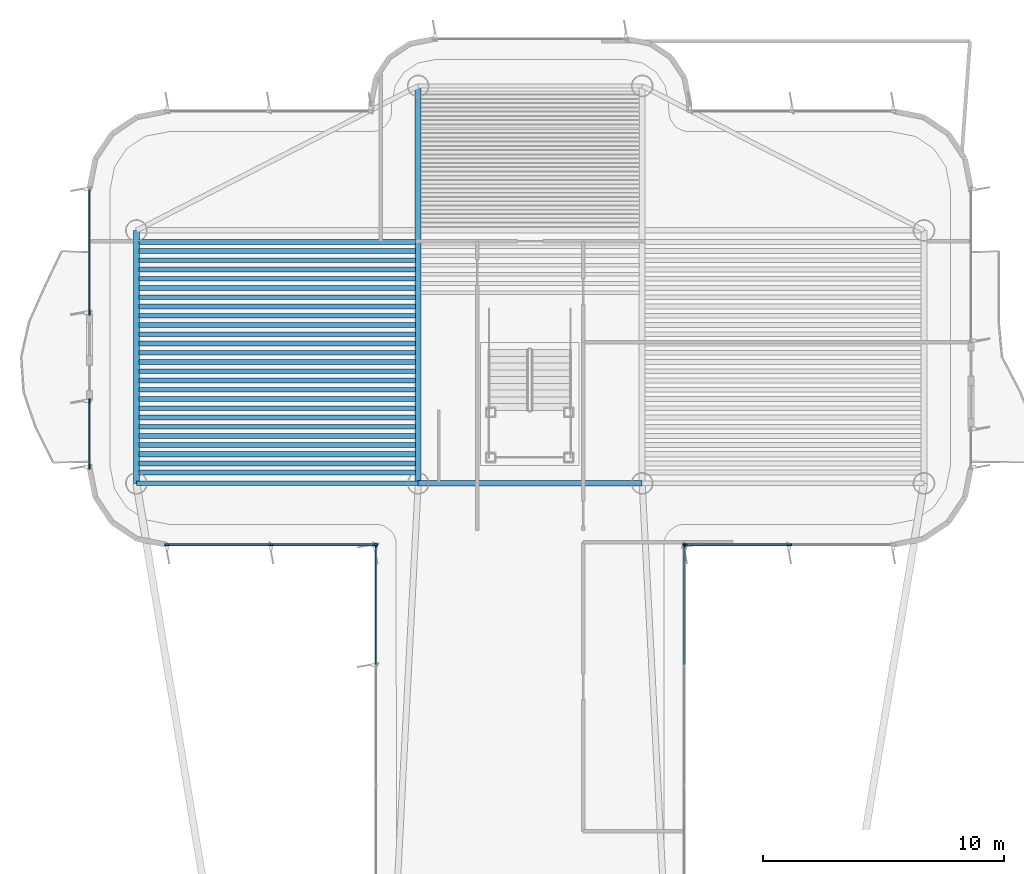
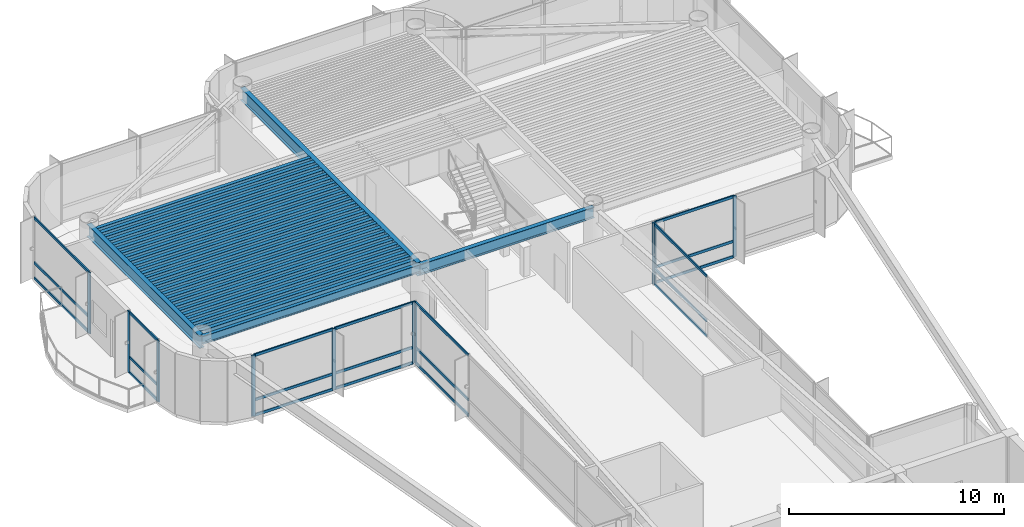
# One storey, part 6 of 17: 31 members, 30 beams, 6 elements without a shape of their own.
"""IFC4 building model written with IfcOpenShell, lengths in metres."""

from ifc_helpers import new_model, si_unit, direction, frame, origin, origin_2d, place, context, subcontext, project, spatial, rectangle, i_section, extrude, source, transform, mapped, material, layer, layer_set, material_profile, profile_set, type_object, element, aggregate, save


model = new_model("IFC4")

# Units and contexts
model_context = context("Model", 3, precision=1e-05, world=origin(), true_north=direction((0.0, 1.0)))
body_context = subcontext(model_context, "Body", "Model", "MODEL_VIEW")
ifc_project = project(units=[si_unit("LENGTHUNIT", "METRE"), si_unit("AREAUNIT", "SQUARE_METRE"), si_unit("VOLUMEUNIT", "CUBIC_METRE"), si_unit("PLANEANGLEUNIT", "RADIAN"), si_unit("MASSUNIT", "GRAM", prefix="KILO")], contexts=[model_context])

# Site, building, storey
site_placement = place(None, origin())
site = spatial("IfcSite", under=ifc_project, at=site_placement, CompositionType="ELEMENT")
building_placement = place(site_placement, origin())
building = spatial("IfcBuilding", under=site, at=building_placement, Name="Brelvock Crest Care Tower", CompositionType="ELEMENT")
storey_placement = place(building_placement, frame((0.0, 0.0, 287.280029296875)))
storey = spatial("IfcBuildingStorey", under=building, at=storey_placement, Name="L73", CompositionType="ELEMENT", Elevation=287.280029296875)

# Beams
ifc_material_1 = material(Name="Steel Grade 350", Category="steel")
ifc_material_profile_1 = material_profile(ifc_material_1, i_section(OverallWidth=0.25, OverallDepth=0.699951171875, WebThickness=0.011962890625, FlangeThickness=0.02001953125, at=origin_2d()), Name="700WB150")
ifc_profile_set_1 = profile_set([ifc_material_profile_1], Name="Steel Grade 350")
beam_type_1 = type_object("IfcBeamType", Name="BM-G4", PredefinedType="BEAM", material=ifc_profile_set_1)
shared_shape_1 = source(origin(), body_context, "Body", "SweptSolid", [
    extrude(i_section(OverallWidth=0.25, OverallDepth=0.699951171875, WebThickness=0.011962890625, FlangeThickness=0.02001953125, at=origin_2d()), origin(), (0.0, 0.0, 1.0), 10.5),
])
beam_1_placement = place(storey_placement, frame((19.64990234375, 43.949951171875, 3.10986328125), z_axis=(0.0, 1.0, 0.0), x_axis=(-1.0, 0.0, 0.0)))
element("IfcBeam", 1, at=beam_1_placement, inside=storey, type_object=beam_type_1, Name="BM-TWR-L73-01", PredefinedType="BEAM", context=body_context, shape_type="MappedRepresentation", body=[
    mapped(shared_shape_1, transform((0.0, 0.0, 0.0), x_axis=(1.0, 0.0, 0.0), y_axis=(0.0, 1.0, 0.0), z_axis=(0.0, 0.0, 1.0), scale=1.0)),
])
ifc_material_profile_2 = material_profile(ifc_material_1, i_section(OverallWidth=0.22900390625, OverallDepth=0.612060546875, WebThickness=0.011962890625, FlangeThickness=0.01953125, FilletRadius=0.013916015625, at=origin_2d()), Name="610UB125")
ifc_profile_set_2 = profile_set([ifc_material_profile_2], Name="Steel Grade 350")
beam_type_2 = type_object("IfcBeamType", Name="BM-G1", PredefinedType="BEAM", material=ifc_profile_set_2)
shared_shape_2 = source(origin(), body_context, "Body", "SweptSolid", [
    extrude(i_section(OverallWidth=0.22900390625, OverallDepth=0.612060546875, WebThickness=0.011962890625, FlangeThickness=0.01953125, FilletRadius=0.013916015625, at=origin_2d()), origin(), (0.0, 0.0, 1.0), 9.2998046875),
])
beam_2_placement = place(storey_placement, frame((31.35009765625, 43.949951171875, 3.154052734375), z_axis=(1.0, 0.0, 0.0), x_axis=(0.0, 1.0, 0.0)))
element("IfcBeam", 2, at=beam_2_placement, inside=storey, type_object=beam_type_2, Name="BM-TWR-L73-05", PredefinedType="BEAM", context=body_context, shape_type="MappedRepresentation", body=[
    mapped(shared_shape_2, transform((0.0, 0.0, 0.0), x_axis=(1.0, 0.0, 0.0), y_axis=(0.0, 1.0, 0.0), z_axis=(0.0, 0.0, 1.0), scale=1.0)),
])
ifc_material_profile_3 = material_profile(ifc_material_1, i_section(OverallWidth=0.19091796875, OverallDepth=0.4599609375, WebThickness=0.010009765625, FlangeThickness=0.01611328125, FilletRadius=0.011474609375, at=origin_2d()), Name="460UB82.1")
ifc_profile_set_3 = profile_set([ifc_material_profile_3], Name="Steel Grade 350")
beam_type_3 = type_object("IfcBeamType", Name="BM-G3", PredefinedType="BEAM", material=ifc_profile_set_3)
shared_shape_3 = source(origin(), body_context, "Body", "SweptSolid", [
    extrude(i_section(OverallWidth=0.19091796875, OverallDepth=0.4599609375, WebThickness=0.010009765625, FlangeThickness=0.01611328125, FilletRadius=0.011474609375, at=origin_2d()), origin(), (0.0, 0.0, 1.0), 11.47021484375),
])
for number, where, z_axis, x_axis, name in (
    (3, (19.764892578125, 44.7744140625, 3.22998046875), (1.0, 0.0, 0.0), (0.0, 1.0, 0.0), "BM-JW-L73-2"),
    (4, (19.764892578125, 45.540771484375, 3.22998046875), (1.0, 0.0, 0.0), (0.0, 1.0, 0.0), "BM-JW-L73-4"),
    (5, (19.764892578125, 46.307373046875, 3.22998046875), (1.0, 0.0, 0.0), (0.0, 1.0, 0.0), "BM-JW-L73-6"),
    (6, (19.764892578125, 47.07373046875, 3.22998046875), (1.0, 0.0, 0.0), (0.0, 1.0, 0.0), "BM-JW-L73-8"),
    (7, (19.764892578125, 47.84033203125, 3.22998046875), (1.0, 0.0, 0.0), (0.0, 1.0, 0.0), "BM-JW-L73-10"),
    (8, (19.764892578125, 48.606689453125, 3.22998046875), (1.0, 0.0, 0.0), (0.0, 1.0, 0.0), "BM-JW-L73-12"),
    (9, (19.764892578125, 49.373291015625, 3.22998046875), (1.0, 0.0, 0.0), (0.0, 1.0, 0.0), "BM-JW-L73-14"),
    (10, (19.764892578125, 50.139892578125, 3.22998046875), (1.0, 0.0, 0.0), (0.0, 1.0, 0.0), "BM-JW-L73-16"),
    (11, (19.764892578125, 50.90625, 3.22998046875), (1.0, 0.0, 0.0), (0.0, 1.0, 0.0), "BM-JW-L73-18"),
    (12, (19.764892578125, 51.6728515625, 3.22998046875), (1.0, 0.0, 0.0), (0.0, 1.0, 0.0), "BM-JW-L73-20"),
    (13, (19.764892578125, 52.439208984375, 3.22998046875), (1.0, 0.0, 0.0), (0.0, 1.0, 0.0), "BM-JW-L73-22"),
    (14, (19.764892578125, 53.205810546875, 3.22998046875), (1.0, 0.0, 0.0), (0.0, 1.0, 0.0), "BM-JW-L73-24"),
    (15, (19.764892578125, 53.972412109375, 3.22998046875), (1.0, 0.0, 0.0), (0.0, 1.0, 0.0), "BM-JW-L73-26"),
):
    element("IfcBeam", number, at=place(storey_placement, frame(where, z_axis=z_axis, x_axis=x_axis)), inside=storey, type_object=beam_type_3, Name=name, PredefinedType="BEAM", context=body_context, shape_type="MappedRepresentation", body=[
        mapped(shared_shape_3, transform((0.0, 0.0, 0.0), x_axis=(1.0, 0.0, 0.0), y_axis=(0.0, 1.0, 0.0), z_axis=(0.0, 0.0, 1.0), scale=1.0)),
    ])
ifc_material_profile_4 = material_profile(ifc_material_1, i_section(OverallWidth=0.208984375, OverallDepth=0.532958984375, WebThickness=0.01025390625, FlangeThickness=0.015625, FilletRadius=0.013916015625, at=origin_2d()), Name="530UB92.4")
ifc_profile_set_4 = profile_set([ifc_material_profile_4], Name="Steel Grade 350")
beam_type_4 = type_object("IfcBeamType", Name="BM-G2", PredefinedType="BEAM", material=ifc_profile_set_4)
shared_shape_4 = source(origin(), body_context, "Body", "SweptSolid", [
    extrude(i_section(OverallWidth=0.208984375, OverallDepth=0.532958984375, WebThickness=0.01025390625, FlangeThickness=0.015625, FilletRadius=0.013916015625, at=origin_2d()), origin(), (0.0, 0.0, 1.0), 11.47021484375),
])
for number, where, z_axis, x_axis, name in (
    (16, (19.764892578125, 44.39111328125, 3.193359375), (1.0, 0.0, 0.0), (0.0, 1.0, 0.0), "BM-JW-L73-1"),
    (17, (19.764892578125, 45.157470703125, 3.193359375), (1.0, 0.0, 0.0), (0.0, 1.0, 0.0), "BM-JW-L73-3"),
    (18, (19.764892578125, 45.924072265625, 3.193359375), (1.0, 0.0, 0.0), (0.0, 1.0, 0.0), "BM-JW-L73-5"),
    (19, (19.764892578125, 46.6904296875, 3.193359375), (1.0, 0.0, 0.0), (0.0, 1.0, 0.0), "BM-JW-L73-7"),
    (20, (19.764892578125, 47.45703125, 3.193359375), (1.0, 0.0, 0.0), (0.0, 1.0, 0.0), "BM-JW-L73-9"),
    (21, (19.764892578125, 48.223388671875, 3.193359375), (1.0, 0.0, 0.0), (0.0, 1.0, 0.0), "BM-JW-L73-11"),
    (22, (19.764892578125, 48.989990234375, 3.193359375), (1.0, 0.0, 0.0), (0.0, 1.0, 0.0), "BM-JW-L73-13"),
    (23, (19.764892578125, 49.756591796875, 3.193359375), (1.0, 0.0, 0.0), (0.0, 1.0, 0.0), "BM-JW-L73-15"),
    (24, (19.764892578125, 50.52294921875, 3.193359375), (1.0, 0.0, 0.0), (0.0, 1.0, 0.0), "BM-JW-L73-17"),
    (25, (19.764892578125, 51.28955078125, 3.193359375), (1.0, 0.0, 0.0), (0.0, 1.0, 0.0), "BM-JW-L73-19"),
    (26, (19.764892578125, 52.055908203125, 3.193359375), (1.0, 0.0, 0.0), (0.0, 1.0, 0.0), "BM-JW-L73-21"),
    (27, (19.764892578125, 52.822509765625, 3.193359375), (1.0, 0.0, 0.0), (0.0, 1.0, 0.0), "BM-JW-L73-23"),
    (28, (19.764892578125, 53.589111328125, 3.193359375), (1.0, 0.0, 0.0), (0.0, 1.0, 0.0), "BM-JW-L73-25"),
):
    element("IfcBeam", number, at=place(storey_placement, frame(where, z_axis=z_axis, x_axis=x_axis)), inside=storey, type_object=beam_type_4, Name=name, PredefinedType="BEAM", context=body_context, shape_type="MappedRepresentation", body=[
        mapped(shared_shape_4, transform((0.0, 0.0, 0.0), x_axis=(1.0, 0.0, 0.0), y_axis=(0.0, 1.0, 0.0), z_axis=(0.0, 0.0, 1.0), scale=1.0)),
    ])
ifc_material_profile_5 = material_profile(ifc_material_1, i_section(OverallWidth=0.19091796875, OverallDepth=0.4599609375, WebThickness=0.010009765625, FlangeThickness=0.01611328125, FilletRadius=0.011474609375, at=origin_2d()), Name="460UB82.1")
ifc_profile_set_5 = profile_set([ifc_material_profile_5], Name="Steel Grade 350")
beam_type_5 = type_object("IfcBeamType", Name="BM-SP2", PredefinedType="SPANDREL", material=ifc_profile_set_5)
shared_shape_5 = source(origin(), body_context, "Body", "SweptSolid", [
    extrude(i_section(OverallWidth=0.19091796875, OverallDepth=0.4599609375, WebThickness=0.010009765625, FlangeThickness=0.01611328125, FilletRadius=0.011474609375, at=origin_2d()), origin(), (0.0, 0.0, 1.0), 11.7001953125),
])
beam_3_placement = place(storey_placement, frame((19.64990234375, 43.949951171875, 3.22998046875), z_axis=(1.0, 0.0, 0.0), x_axis=(0.0, 1.0, 0.0)))
element("IfcBeam", 29, at=beam_3_placement, inside=storey, type_object=beam_type_5, Name="BM-TWR-L73-03", PredefinedType="SPANDREL", context=body_context, shape_type="MappedRepresentation", body=[
    mapped(shared_shape_5, transform((0.0, 0.0, 0.0), x_axis=(1.0, 0.0, 0.0), y_axis=(0.0, 1.0, 0.0), z_axis=(0.0, 0.0, 1.0), scale=1.0)),
])
shared_shape_6 = source(origin(), body_context, "Body", "SweptSolid", [
    extrude(i_section(OverallWidth=0.25, OverallDepth=0.699951171875, WebThickness=0.011962890625, FlangeThickness=0.02001953125, at=origin_2d()), origin(), (0.0, 0.0, 1.0), 16.5),
])
beam_4_placement = place(storey_placement, frame((31.35009765625, 43.949951171875, 3.10986328125), z_axis=(0.0, 1.0, 0.0), x_axis=(-1.0, 0.0, 0.0)))
element("IfcBeam", 30, at=beam_4_placement, inside=storey, type_object=beam_type_1, Name="BM-TWR-L73-09", PredefinedType="BEAM", context=body_context, shape_type="MappedRepresentation", body=[
    mapped(shared_shape_6, transform((0.0, 0.0, 0.0), x_axis=(1.0, 0.0, 0.0), y_axis=(0.0, 1.0, 0.0), z_axis=(0.0, 0.0, 1.0), scale=1.0)),
])

# Curtain wall, members
ifc_material_2 = material(Name="Dark Glass Double Glazed Low-E", Category="glass")
ifc_layer = layer(ifc_material_2, 0.2548828125, Name="CWS-6")
ifc_layer_set = layer_set([ifc_layer], Name="Dark Glass Double Glazed Low-E")
curtain_wall_type = type_object("IfcCurtainWallType", Name="CWS-6", PredefinedType="NOTDEFINED", material=ifc_layer_set)
curtain_wall_1_placement = place(storey_placement, origin())
curtain_wall_1 = element("IfcCurtainWall", 31, at=curtain_wall_1_placement, inside=storey, type_object=curtain_wall_type, Name="L73 Curtain Wall E11", PredefinedType="NOTDEFINED")
ifc_material_3 = material(Name="Aluminium 6063-T6", Category="aluminium")
ifc_material_profile_6 = material_profile(ifc_material_3, rectangle(XDim=0.06494140625, YDim=0.14990234375, at=origin_2d()), Name="ALU65x150")
ifc_profile_set_6 = profile_set([ifc_material_profile_6], Name="Aluminium 6063-T6")
member_type_1 = type_object("IfcMemberType", Name="CWT-1", PredefinedType="USERDEFINED", material=ifc_profile_set_6)
shared_shape_7 = source(origin(), body_context, "Body", "SweptSolid", [
    extrude(rectangle(XDim=0.06494140625, YDim=0.14990234375, at=origin_2d()), origin(), (0.0, 0.0, 1.0), 4.90234375),
])
member_1_placement = place(storey_placement, frame((29.60009765625, 36.4326171875, 0.032470703125), z_axis=(0.0, 1.0, 0.0), x_axis=(-1.0, 0.0, 0.0)))
member_1 = element("IfcMember", 32, at=member_1_placement, type_object=member_type_1, Name="CW-6 transom 4.1", ObjectType="TRANSOM", PredefinedType="USERDEFINED", context=body_context, shape_type="MappedRepresentation", body=[
    mapped(shared_shape_7, transform((0.0, 0.0, 0.0), x_axis=(1.0, 0.0, 0.0), y_axis=(0.0, 1.0, 0.0), z_axis=(0.0, 0.0, 1.0), scale=1.0)),
])
member_2_placement = place(storey_placement, frame((29.60009765625, 36.4326171875, 0.89990234375), z_axis=(0.0, 1.0, 0.0), x_axis=(-1.0, 0.0, 0.0)))
member_2 = element("IfcMember", 33, at=member_2_placement, type_object=member_type_1, Name="CW-6 transom 4.2", ObjectType="TRANSOM", PredefinedType="USERDEFINED", context=body_context, shape_type="MappedRepresentation", body=[
    mapped(shared_shape_7, transform((0.0, 0.0, 0.0), x_axis=(1.0, 0.0, 0.0), y_axis=(0.0, 1.0, 0.0), z_axis=(0.0, 0.0, 1.0), scale=1.0)),
])
member_3_placement = place(storey_placement, frame((29.60009765625, 36.4326171875, 3.427490234375), z_axis=(0.0, 1.0, 0.0), x_axis=(-1.0, 0.0, 0.0)))
member_3 = element("IfcMember", 34, at=member_3_placement, type_object=member_type_1, Name="CW-6 transom 4.3", ObjectType="TRANSOM", PredefinedType="USERDEFINED", context=body_context, shape_type="MappedRepresentation", body=[
    mapped(shared_shape_7, transform((0.0, 0.0, 0.0), x_axis=(1.0, 0.0, 0.0), y_axis=(0.0, 1.0, 0.0), z_axis=(0.0, 0.0, 1.0), scale=1.0)),
])

curtain_wall_2_placement = place(storey_placement, origin())
curtain_wall_2 = element("IfcCurtainWall", 35, at=curtain_wall_2_placement, inside=storey, type_object=curtain_wall_type, Name="L73 Curtain Wall E45", PredefinedType="NOTDEFINED")
member_4_placement = place(storey_placement, frame((42.39990234375, 41.3349609375, 0.032470703125), z_axis=(0.0, -1.0, 0.0), x_axis=(1.0, 0.0, 0.0)))
member_4 = element("IfcMember", 36, at=member_4_placement, type_object=member_type_1, Name="CW-6 transom 1.1", ObjectType="TRANSOM", PredefinedType="USERDEFINED", context=body_context, shape_type="MappedRepresentation", body=[
    mapped(shared_shape_7, transform((0.0, 0.0, 0.0), x_axis=(1.0, 0.0, 0.0), y_axis=(0.0, 1.0, 0.0), z_axis=(0.0, 0.0, 1.0), scale=1.0)),
])
member_5_placement = place(storey_placement, frame((42.39990234375, 41.3349609375, 0.89990234375), z_axis=(0.0, -1.0, 0.0), x_axis=(1.0, 0.0, 0.0)))
member_5 = element("IfcMember", 37, at=member_5_placement, type_object=member_type_1, Name="CW-6 transom 1.2", ObjectType="TRANSOM", PredefinedType="USERDEFINED", context=body_context, shape_type="MappedRepresentation", body=[
    mapped(shared_shape_7, transform((0.0, 0.0, 0.0), x_axis=(1.0, 0.0, 0.0), y_axis=(0.0, 1.0, 0.0), z_axis=(0.0, 0.0, 1.0), scale=1.0)),
])
member_6_placement = place(storey_placement, frame((42.39990234375, 41.3349609375, 3.427490234375), z_axis=(0.0, -1.0, 0.0), x_axis=(1.0, 0.0, 0.0)))
member_6 = element("IfcMember", 38, at=member_6_placement, type_object=member_type_1, Name="CW-6 transom 1.3", ObjectType="TRANSOM", PredefinedType="USERDEFINED", context=body_context, shape_type="MappedRepresentation", body=[
    mapped(shared_shape_7, transform((0.0, 0.0, 0.0), x_axis=(1.0, 0.0, 0.0), y_axis=(0.0, 1.0, 0.0), z_axis=(0.0, 0.0, 1.0), scale=1.0)),
])

# Member
ifc_material_profile_7 = material_profile(ifc_material_3, rectangle(XDim=0.06494140625, YDim=0.199951171875, at=origin_2d()), Name="ALU65x200")
ifc_profile_set_7 = profile_set([ifc_material_profile_7], Name="Aluminium 6063-T6")
member_type_2 = type_object("IfcMemberType", Name="CWM-1", PredefinedType="MULLION", material=ifc_profile_set_7)
shared_shape_8 = source(origin(), body_context, "Body", "SweptSolid", [
    extrude(rectangle(XDim=0.06494140625, YDim=0.199951171875, at=origin_2d()), origin(), (0.0, 0.0, 1.0), 3.4599609375),
])
member_7_placement = place(storey_placement, frame((29.60009765625, 41.367431640625, 0.0), z_axis=(0.0, 0.0, 1.0), x_axis=(-1.0, 0.0, 0.0)))
member_7 = element("IfcMember", 39, at=member_7_placement, type_object=member_type_2, Name="CW-6 mullion 5", PredefinedType="MULLION", context=body_context, shape_type="MappedRepresentation", body=[
    mapped(shared_shape_8, transform((0.0, 0.0, 0.0), x_axis=(1.0, 0.0, 0.0), y_axis=(0.0, 1.0, 0.0), z_axis=(0.0, 0.0, 1.0), scale=1.0)),
])

aggregate(curtain_wall_1, [member_7, member_1, member_2, member_3])

# Curtain wall, members
curtain_wall_3_placement = place(storey_placement, origin())
curtain_wall_3 = element("IfcCurtainWall", 40, at=curtain_wall_3_placement, inside=storey, type_object=curtain_wall_type, Name="L73 Curtain Wall E12", PredefinedType="NOTDEFINED")
member_8_placement = place(storey_placement, frame((29.5673828125, 41.39990234375, 0.0), z_axis=(0.0, 0.0, 1.0), x_axis=(0.0, -1.0, 0.0)))
member_8 = element("IfcMember", 41, at=member_8_placement, type_object=member_type_2, Name="CW-6 mullion 1", PredefinedType="MULLION", context=body_context, shape_type="MappedRepresentation", body=[
    mapped(shared_shape_8, transform((0.0, 0.0, 0.0), x_axis=(1.0, 0.0, 0.0), y_axis=(0.0, 1.0, 0.0), z_axis=(0.0, 0.0, 1.0), scale=1.0)),
])
member_9_placement = place(storey_placement, frame((25.25, 41.39990234375, 0.0), z_axis=(0.0, 0.0, 1.0), x_axis=(0.0, -1.0, 0.0)))
member_9 = element("IfcMember", 42, at=member_9_placement, type_object=member_type_2, Name="CW-6 mullion 2", PredefinedType="MULLION", context=body_context, shape_type="MappedRepresentation", body=[
    mapped(shared_shape_8, transform((0.0, 0.0, 0.0), x_axis=(1.0, 0.0, 0.0), y_axis=(0.0, 1.0, 0.0), z_axis=(0.0, 0.0, 1.0), scale=1.0)),
])
member_10_placement = place(storey_placement, frame((20.9326171875, 41.39990234375, 0.0), z_axis=(0.0, 0.0, 1.0), x_axis=(0.0, -1.0, 0.0)))
member_10 = element("IfcMember", 43, at=member_10_placement, type_object=member_type_2, Name="CW-6 mullion 3", PredefinedType="MULLION", context=body_context, shape_type="MappedRepresentation", body=[
    mapped(shared_shape_8, transform((0.0, 0.0, 0.0), x_axis=(1.0, 0.0, 0.0), y_axis=(0.0, 1.0, 0.0), z_axis=(0.0, 0.0, 1.0), scale=1.0)),
])

curtain_wall_4_placement = place(storey_placement, origin())
curtain_wall_4 = element("IfcCurtainWall", 44, at=curtain_wall_4_placement, inside=storey, type_object=curtain_wall_type, Name="L73 Curtain Wall E17A", PredefinedType="NOTDEFINED")
member_11_placement = place(storey_placement, frame((17.699951171875, 44.632568359375, 0.0), z_axis=(0.0, 0.0, 1.0), x_axis=(-1.0, 0.0, 0.0)))
member_11 = element("IfcMember", 45, at=member_11_placement, type_object=member_type_2, Name="CW-6 mullion 1", PredefinedType="MULLION", context=body_context, shape_type="MappedRepresentation", body=[
    mapped(shared_shape_8, transform((0.0, 0.0, 0.0), x_axis=(1.0, 0.0, 0.0), y_axis=(0.0, 1.0, 0.0), z_axis=(0.0, 0.0, 1.0), scale=1.0)),
])
member_12_placement = place(storey_placement, frame((17.699951171875, 47.367431640625, 0.0), z_axis=(0.0, 0.0, 1.0), x_axis=(-1.0, 0.0, 0.0)))
member_12 = element("IfcMember", 46, at=member_12_placement, type_object=member_type_2, Name="CW-6 mullion 2", PredefinedType="MULLION", context=body_context, shape_type="MappedRepresentation", body=[
    mapped(shared_shape_8, transform((0.0, 0.0, 0.0), x_axis=(1.0, 0.0, 0.0), y_axis=(0.0, 1.0, 0.0), z_axis=(0.0, 0.0, 1.0), scale=1.0)),
])

# Curtain wall, member
curtain_wall_5_placement = place(storey_placement, origin())
curtain_wall_5 = element("IfcCurtainWall", 47, at=curtain_wall_5_placement, inside=storey, type_object=curtain_wall_type, Name="L73 Curtain Wall E17B", PredefinedType="NOTDEFINED")
member_13_placement = place(storey_placement, frame((17.699951171875, 51.032470703125, 0.0), z_axis=(0.0, 0.0, 1.0), x_axis=(-1.0, 0.0, 0.0)))
member_13 = element("IfcMember", 48, at=member_13_placement, type_object=member_type_2, Name="CW-6 mullion 1", PredefinedType="MULLION", context=body_context, shape_type="MappedRepresentation", body=[
    mapped(shared_shape_8, transform((0.0, 0.0, 0.0), x_axis=(1.0, 0.0, 0.0), y_axis=(0.0, 1.0, 0.0), z_axis=(0.0, 0.0, 1.0), scale=1.0)),
])

# Curtain wall, members
curtain_wall_6_placement = place(storey_placement, origin())
curtain_wall_6 = element("IfcCurtainWall", 49, at=curtain_wall_6_placement, inside=storey, type_object=curtain_wall_type, Name="L73 Curtain Wall E44", PredefinedType="NOTDEFINED")
member_14_placement = place(storey_placement, frame((46.75, 41.39990234375, 0.0), z_axis=(0.0, 0.0, 1.0), x_axis=(0.0, -1.0, 0.0)))
member_14 = element("IfcMember", 50, at=member_14_placement, type_object=member_type_2, Name="CW-6 mullion 2", PredefinedType="MULLION", context=body_context, shape_type="MappedRepresentation", body=[
    mapped(shared_shape_8, transform((0.0, 0.0, 0.0), x_axis=(1.0, 0.0, 0.0), y_axis=(0.0, 1.0, 0.0), z_axis=(0.0, 0.0, 1.0), scale=1.0)),
])
member_15_placement = place(storey_placement, frame((42.4326171875, 41.39990234375, 0.0), z_axis=(0.0, 0.0, 1.0), x_axis=(0.0, -1.0, 0.0)))
member_15 = element("IfcMember", 51, at=member_15_placement, type_object=member_type_2, Name="CW-6 mullion 3", PredefinedType="MULLION", context=body_context, shape_type="MappedRepresentation", body=[
    mapped(shared_shape_8, transform((0.0, 0.0, 0.0), x_axis=(1.0, 0.0, 0.0), y_axis=(0.0, 1.0, 0.0), z_axis=(0.0, 0.0, 1.0), scale=1.0)),
])

# Member
member_16_placement = place(storey_placement, frame((42.39990234375, 41.367431640625, 0.0), z_axis=(0.0, 0.0, 1.0), x_axis=(1.0, 0.0, 0.0)))
member_16 = element("IfcMember", 52, at=member_16_placement, type_object=member_type_2, Name="CW-6 mullion 1", PredefinedType="MULLION", context=body_context, shape_type="MappedRepresentation", body=[
    mapped(shared_shape_8, transform((0.0, 0.0, 0.0), x_axis=(1.0, 0.0, 0.0), y_axis=(0.0, 1.0, 0.0), z_axis=(0.0, 0.0, 1.0), scale=1.0)),
])

aggregate(curtain_wall_2, [member_16, member_4, member_5, member_6])

shared_shape_9 = source(origin(), body_context, "Body", "SweptSolid", [
    extrude(rectangle(XDim=0.06494140625, YDim=0.14990234375, at=origin_2d()), origin(), (0.0, 0.0, 1.0), 4.25244140625),
])
member_17_placement = place(storey_placement, frame((29.534912109375, 41.39990234375, 0.032470703125), z_axis=(-1.0, 0.0, 0.0), x_axis=(0.0, -1.0, 0.0)))
member_17 = element("IfcMember", 53, at=member_17_placement, type_object=member_type_1, Name="CW-6 transom 1.1", ObjectType="TRANSOM", PredefinedType="USERDEFINED", context=body_context, shape_type="MappedRepresentation", body=[
    mapped(shared_shape_9, transform((0.0, 0.0, 0.0), x_axis=(1.0, 0.0, 0.0), y_axis=(0.0, 1.0, 0.0), z_axis=(0.0, 0.0, 1.0), scale=1.0)),
])

member_18_placement = place(storey_placement, frame((29.534912109375, 41.39990234375, 0.89990234375), z_axis=(-1.0, 0.0, 0.0), x_axis=(0.0, -1.0, 0.0)))
member_18 = element("IfcMember", 54, at=member_18_placement, type_object=member_type_1, Name="CW-6 transom 1.2", ObjectType="TRANSOM", PredefinedType="USERDEFINED", context=body_context, shape_type="MappedRepresentation", body=[
    mapped(shared_shape_9, transform((0.0, 0.0, 0.0), x_axis=(1.0, 0.0, 0.0), y_axis=(0.0, 1.0, 0.0), z_axis=(0.0, 0.0, 1.0), scale=1.0)),
])

member_19_placement = place(storey_placement, frame((29.534912109375, 41.39990234375, 3.427490234375), z_axis=(-1.0, 0.0, 0.0), x_axis=(0.0, -1.0, 0.0)))
member_19 = element("IfcMember", 55, at=member_19_placement, type_object=member_type_1, Name="CW-6 transom 1.3", ObjectType="TRANSOM", PredefinedType="USERDEFINED", context=body_context, shape_type="MappedRepresentation", body=[
    mapped(shared_shape_9, transform((0.0, 0.0, 0.0), x_axis=(1.0, 0.0, 0.0), y_axis=(0.0, 1.0, 0.0), z_axis=(0.0, 0.0, 1.0), scale=1.0)),
])

member_20_placement = place(storey_placement, frame((25.217529296875, 41.39990234375, 0.032470703125), z_axis=(-1.0, 0.0, 0.0), x_axis=(0.0, -1.0, 0.0)))
member_20 = element("IfcMember", 56, at=member_20_placement, type_object=member_type_1, Name="CW-6 transom 2.1", ObjectType="TRANSOM", PredefinedType="USERDEFINED", context=body_context, shape_type="MappedRepresentation", body=[
    mapped(shared_shape_9, transform((0.0, 0.0, 0.0), x_axis=(1.0, 0.0, 0.0), y_axis=(0.0, 1.0, 0.0), z_axis=(0.0, 0.0, 1.0), scale=1.0)),
])

member_21_placement = place(storey_placement, frame((25.217529296875, 41.39990234375, 0.89990234375), z_axis=(-1.0, 0.0, 0.0), x_axis=(0.0, -1.0, 0.0)))
member_21 = element("IfcMember", 57, at=member_21_placement, type_object=member_type_1, Name="CW-6 transom 2.2", ObjectType="TRANSOM", PredefinedType="USERDEFINED", context=body_context, shape_type="MappedRepresentation", body=[
    mapped(shared_shape_9, transform((0.0, 0.0, 0.0), x_axis=(1.0, 0.0, 0.0), y_axis=(0.0, 1.0, 0.0), z_axis=(0.0, 0.0, 1.0), scale=1.0)),
])

member_22_placement = place(storey_placement, frame((25.217529296875, 41.39990234375, 3.427490234375), z_axis=(-1.0, 0.0, 0.0), x_axis=(0.0, -1.0, 0.0)))
member_22 = element("IfcMember", 58, at=member_22_placement, type_object=member_type_1, Name="CW-6 transom 2.3", ObjectType="TRANSOM", PredefinedType="USERDEFINED", context=body_context, shape_type="MappedRepresentation", body=[
    mapped(shared_shape_9, transform((0.0, 0.0, 0.0), x_axis=(1.0, 0.0, 0.0), y_axis=(0.0, 1.0, 0.0), z_axis=(0.0, 0.0, 1.0), scale=1.0)),
])

aggregate(curtain_wall_3, [member_8, member_9, member_10, member_17, member_18, member_19, member_20, member_21, member_22])

member_23_placement = place(storey_placement, frame((46.717529296875, 41.39990234375, 0.032470703125), z_axis=(-1.0, 0.0, 0.0), x_axis=(0.0, -1.0, 0.0)))
member_23 = element("IfcMember", 59, at=member_23_placement, type_object=member_type_1, Name="CW-6 transom 2.1", ObjectType="TRANSOM", PredefinedType="USERDEFINED", context=body_context, shape_type="MappedRepresentation", body=[
    mapped(shared_shape_9, transform((0.0, 0.0, 0.0), x_axis=(1.0, 0.0, 0.0), y_axis=(0.0, 1.0, 0.0), z_axis=(0.0, 0.0, 1.0), scale=1.0)),
])

member_24_placement = place(storey_placement, frame((46.717529296875, 41.39990234375, 0.89990234375), z_axis=(-1.0, 0.0, 0.0), x_axis=(0.0, -1.0, 0.0)))
member_24 = element("IfcMember", 60, at=member_24_placement, type_object=member_type_1, Name="CW-6 transom 2.2", ObjectType="TRANSOM", PredefinedType="USERDEFINED", context=body_context, shape_type="MappedRepresentation", body=[
    mapped(shared_shape_9, transform((0.0, 0.0, 0.0), x_axis=(1.0, 0.0, 0.0), y_axis=(0.0, 1.0, 0.0), z_axis=(0.0, 0.0, 1.0), scale=1.0)),
])

member_25_placement = place(storey_placement, frame((46.717529296875, 41.39990234375, 3.427490234375), z_axis=(-1.0, 0.0, 0.0), x_axis=(0.0, -1.0, 0.0)))
member_25 = element("IfcMember", 61, at=member_25_placement, type_object=member_type_1, Name="CW-6 transom 2.3", ObjectType="TRANSOM", PredefinedType="USERDEFINED", context=body_context, shape_type="MappedRepresentation", body=[
    mapped(shared_shape_9, transform((0.0, 0.0, 0.0), x_axis=(1.0, 0.0, 0.0), y_axis=(0.0, 1.0, 0.0), z_axis=(0.0, 0.0, 1.0), scale=1.0)),
])

aggregate(curtain_wall_6, [member_14, member_15, member_23, member_24, member_25])

shared_shape_10 = source(origin(), body_context, "Body", "SweptSolid", [
    extrude(rectangle(XDim=0.06494140625, YDim=0.14990234375, at=origin_2d()), origin(), (0.0, 0.0, 1.0), 2.669921875),
])
member_26_placement = place(storey_placement, frame((17.699951171875, 44.6650390625, 0.032470703125), z_axis=(0.0, 1.0, 0.0), x_axis=(-1.0, 0.0, 0.0)))
member_26 = element("IfcMember", 62, at=member_26_placement, type_object=member_type_1, Name="CW-6 transom 1.1", ObjectType="TRANSOM", PredefinedType="USERDEFINED", context=body_context, shape_type="MappedRepresentation", body=[
    mapped(shared_shape_10, transform((0.0, 0.0, 0.0), x_axis=(1.0, 0.0, 0.0), y_axis=(0.0, 1.0, 0.0), z_axis=(0.0, 0.0, 1.0), scale=1.0)),
])

member_27_placement = place(storey_placement, frame((17.699951171875, 44.6650390625, 0.89990234375), z_axis=(0.0, 1.0, 0.0), x_axis=(-1.0, 0.0, 0.0)))
member_27 = element("IfcMember", 63, at=member_27_placement, type_object=member_type_1, Name="CW-6 transom 1.2", ObjectType="TRANSOM", PredefinedType="USERDEFINED", context=body_context, shape_type="MappedRepresentation", body=[
    mapped(shared_shape_10, transform((0.0, 0.0, 0.0), x_axis=(1.0, 0.0, 0.0), y_axis=(0.0, 1.0, 0.0), z_axis=(0.0, 0.0, 1.0), scale=1.0)),
])

member_28_placement = place(storey_placement, frame((17.699951171875, 44.6650390625, 3.427490234375), z_axis=(0.0, 1.0, 0.0), x_axis=(-1.0, 0.0, 0.0)))
member_28 = element("IfcMember", 64, at=member_28_placement, type_object=member_type_1, Name="CW-6 transom 1.3", ObjectType="TRANSOM", PredefinedType="USERDEFINED", context=body_context, shape_type="MappedRepresentation", body=[
    mapped(shared_shape_10, transform((0.0, 0.0, 0.0), x_axis=(1.0, 0.0, 0.0), y_axis=(0.0, 1.0, 0.0), z_axis=(0.0, 0.0, 1.0), scale=1.0)),
])

aggregate(curtain_wall_4, [member_11, member_12, member_26, member_27, member_28])

shared_shape_11 = source(origin(), body_context, "Body", "SweptSolid", [
    extrude(rectangle(XDim=0.06494140625, YDim=0.14990234375, at=origin_2d()), origin(), (0.0, 0.0, 1.0), 5.070068359375),
])
member_29_placement = place(storey_placement, frame((17.699951171875, 51.06494140625, 0.032470703125), z_axis=(0.0, 1.0, 0.0), x_axis=(-1.0, 0.0, 0.0)))
member_29 = element("IfcMember", 65, at=member_29_placement, type_object=member_type_1, Name="CW-6 transom 1.1", ObjectType="TRANSOM", PredefinedType="USERDEFINED", context=body_context, shape_type="MappedRepresentation", body=[
    mapped(shared_shape_11, transform((0.0, 0.0, 0.0), x_axis=(1.0, 0.0, 0.0), y_axis=(0.0, 1.0, 0.0), z_axis=(0.0, 0.0, 1.0), scale=1.0)),
])

member_30_placement = place(storey_placement, frame((17.699951171875, 51.06494140625, 0.89990234375), z_axis=(0.0, 1.0, 0.0), x_axis=(-1.0, 0.0, 0.0)))
member_30 = element("IfcMember", 66, at=member_30_placement, type_object=member_type_1, Name="CW-6 transom 1.2", ObjectType="TRANSOM", PredefinedType="USERDEFINED", context=body_context, shape_type="MappedRepresentation", body=[
    mapped(shared_shape_11, transform((0.0, 0.0, 0.0), x_axis=(1.0, 0.0, 0.0), y_axis=(0.0, 1.0, 0.0), z_axis=(0.0, 0.0, 1.0), scale=1.0)),
])

member_31_placement = place(storey_placement, frame((17.699951171875, 51.06494140625, 3.427490234375), z_axis=(0.0, 1.0, 0.0), x_axis=(-1.0, 0.0, 0.0)))
member_31 = element("IfcMember", 67, at=member_31_placement, type_object=member_type_1, Name="CW-6 transom 1.3", ObjectType="TRANSOM", PredefinedType="USERDEFINED", context=body_context, shape_type="MappedRepresentation", body=[
    mapped(shared_shape_11, transform((0.0, 0.0, 0.0), x_axis=(1.0, 0.0, 0.0), y_axis=(0.0, 1.0, 0.0), z_axis=(0.0, 0.0, 1.0), scale=1.0)),
])

aggregate(curtain_wall_5, [member_13, member_29, member_30, member_31])

save(model, "model.ifc")
